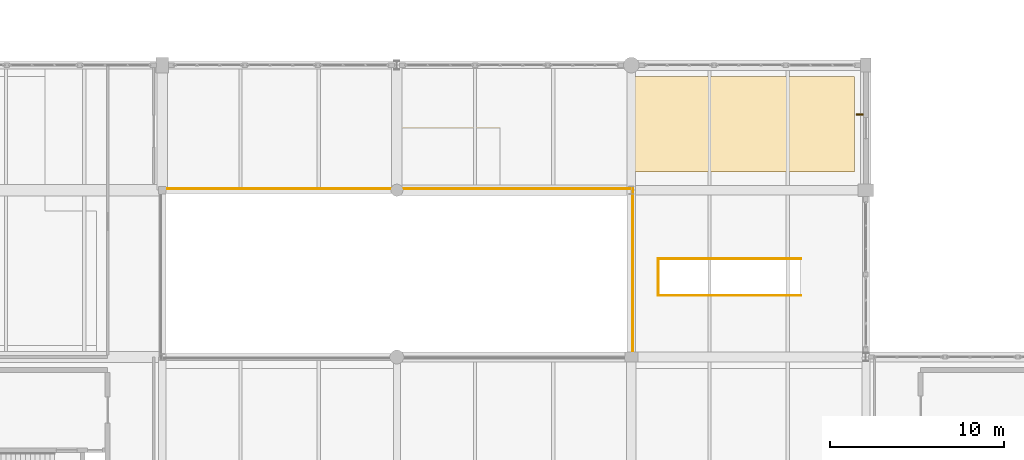
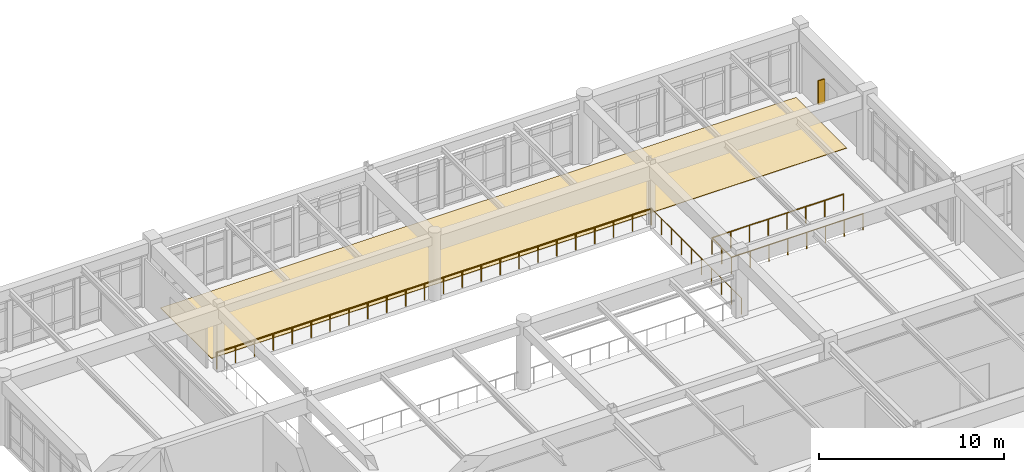
# One storey, part 77 of 80: 5 railings, 1 covering, 1 shading device.
"""IFC4 building model written with IfcOpenShell, lengths in metres."""

import ifcopenshell
import ifcopenshell.guid

model = None  # the IFC model being written
_history = None  # IfcOwnerHistory: only IFC2X3 demands one
_inside = {}  # id of a spatial element -> (the spatial element, [elements in it])
_under = {}  # id of a project, library or spatial element -> (it, [spatial elements below it])
_declared = {}  # id of a project -> (the project, [libraries it declares])
_typed = {}  # id of a type object -> (the type object, [elements of that type])
_made_of = {}  # id of a material, layer set ... -> (it, [elements and type objects made of it])


def new_model(schema):
    """Start an empty IFC model of exactly this schema.

    Asked for "IFC4X3", IfcOpenShell would pick the latest addendum, in which some entities
    have other attributes; the version numbers below select the first issue.
    IFC2X3 requires an IfcOwnerHistory on every rooted entity: one is made here for all.
    """
    global model, _history
    if schema == "IFC4X3":
        model = ifcopenshell.file(schema_version=(4, 3, 0, 0))
    else:
        model = ifcopenshell.file(schema=schema)
    _inside.clear()
    _under.clear()
    _declared.clear()
    _typed.clear()
    _made_of.clear()
    _history = None
    if model.schema == "IFC2X3":
        org = make("IfcOrganization", Name="unknown")
        user = make(
            "IfcPersonAndOrganization",
            ThePerson=make("IfcPerson", FamilyName="unknown"),
            TheOrganization=org,
        )
        app = make(
            "IfcApplication",
            ApplicationDeveloper=org,
            Version="unknown",
            ApplicationFullName="unknown",
            ApplicationIdentifier="unknown",
        )
        _history = make(
            "IfcOwnerHistory",
            OwningUser=user,
            OwningApplication=app,
            ChangeAction="ADDED",
            CreationDate=0,
        )
    return model


def make(cls, **values):
    """One entity of the class cls with the attributes given. An attribute that is None is left unset."""
    return model.create_entity(
        cls, **{name: value for name, value in values.items() if value is not None}
    )


def rooted(cls, **values):
    """An entity with a GlobalId (a new one), such as an element, a storey or a relation."""
    return make(cls, GlobalId=ifcopenshell.guid.new(), OwnerHistory=_history, **values)


def si_unit(unit_type, name, prefix=None):
    """IfcSIUnit, for example si_unit("LENGTHUNIT", "METRE", prefix="MILLI")."""
    return make("IfcSIUnit", UnitType=unit_type, Prefix=prefix, Name=name)


def assignment(units):
    """IfcUnitAssignment: the units of a project."""
    return None if units is None else make("IfcUnitAssignment", Units=units)


def point(xyz):
    """IfcCartesianPoint."""
    return None if xyz is None else make("IfcCartesianPoint", Coordinates=xyz)


def direction(xyz):
    """IfcDirection."""
    return None if xyz is None else make("IfcDirection", DirectionRatios=xyz)


def frame(location, z_axis=None, x_axis=None):
    """IfcAxis2Placement3D, a coordinate frame: its origin and axes. An axis left out is left unset."""
    return make(
        "IfcAxis2Placement3D",
        Location=point(location),
        Axis=direction(z_axis),
        RefDirection=direction(x_axis),
    )


def frame_2d(location, x_axis=None):
    """IfcAxis2Placement2D, a coordinate frame in the plane: its origin and x axis."""
    return make(
        "IfcAxis2Placement2D", Location=point(location), RefDirection=direction(x_axis)
    )


def origin():
    """The frame at (0, 0, 0) with its axes left unset."""
    return frame((0.0, 0.0, 0.0))


def origin_2d():
    """The frame at (0, 0) in the plane with its x axis left unset."""
    return frame_2d((0.0, 0.0))


def place(relative_to, where):
    """IfcLocalPlacement: puts the frame where relative to a parent placement (None: the world)."""
    return make(
        "IfcLocalPlacement", PlacementRelTo=relative_to, RelativePlacement=where
    )


def context(
    kind, dimensions, precision=None, world=None, true_north=None, identifier=None
):
    """IfcGeometricRepresentationContext, for example the 3D "Model" context."""
    return make(
        "IfcGeometricRepresentationContext",
        ContextIdentifier=identifier,
        ContextType=kind,
        CoordinateSpaceDimension=dimensions,
        Precision=precision,
        WorldCoordinateSystem=world,
        TrueNorth=true_north,
    )


def subcontext(parent, identifier, kind, view, scale=None):
    """IfcGeometricRepresentationSubContext, for example "Body" below "Model"."""
    return make(
        "IfcGeometricRepresentationSubContext",
        ContextIdentifier=identifier,
        ContextType=kind,
        ParentContext=parent,
        TargetScale=scale,
        TargetView=view,
    )


def project(units=None, contexts=None):
    """IfcProject with its units and contexts."""
    return rooted(
        "IfcProject",
        Name="project",
        RepresentationContexts=contexts,
        UnitsInContext=assignment(units),
    )


def spatial(cls, under=None, at=None, **own):
    """A site, building, storey or space (cls), placed at a placement, below another one or the project."""
    s = rooted(cls, ObjectPlacement=at, **own)
    if under is not None:
        _under.setdefault(under.id(), (under, []))[1].append(s)
    return s


def polyline(points):
    """IfcPolyline through the points."""
    return make("IfcPolyline", Points=[point(p) for p in points])


def profile(cls, at=None, kind="AREA", **sizes):
    """A parametric profile (cls). Its sizes go by their IFC names, for example OverallWidth=200.0."""
    return make(cls, ProfileType=kind, Position=at, **sizes)


def rectangle(**sizes):
    """IfcRectangleProfileDef."""
    return profile("IfcRectangleProfileDef", **sizes)


def circle(**sizes):
    """IfcCircleProfileDef."""
    return profile("IfcCircleProfileDef", **sizes)


def outline(outer, holes=None, kind="AREA"):
    """IfcArbitraryClosedProfileDef: a profile drawn as a closed curve; with holes, ...WithVoids."""
    if holes is None:
        return make("IfcArbitraryClosedProfileDef", ProfileType=kind, OuterCurve=outer)
    return make(
        "IfcArbitraryProfileDefWithVoids",
        ProfileType=kind,
        OuterCurve=outer,
        InnerCurves=holes,
    )


def extrude(swept, where, along, depth):
    """IfcExtrudedAreaSolid: the profile swept, set in the frame where, extruded along a direction by depth."""
    return make(
        "IfcExtrudedAreaSolid",
        SweptArea=swept,
        Position=where,
        ExtrudedDirection=direction(along),
        Depth=depth,
    )


def shape(context_of_items, identifier, shape_type, items):
    """IfcShapeRepresentation: the items that make up one representation, for example the "Body"."""
    return make(
        "IfcShapeRepresentation",
        ContextOfItems=context_of_items,
        RepresentationIdentifier=identifier,
        RepresentationType=shape_type,
        Items=items,
    )


def material(Name=None, Category=None):
    """IfcMaterial."""
    return make("IfcMaterial", Name=Name, Category=Category)


def layer(
    of_material, thickness, ventilated=None, Name=None, Category=None, Priority=None
):
    """IfcMaterialLayer: one layer of a wall or slab, of a material (None: an air gap)."""
    return make(
        "IfcMaterialLayer",
        Material=of_material,
        LayerThickness=thickness,
        IsVentilated=ventilated,
        Name=Name,
        Category=Category,
        Priority=Priority,
    )


def layer_set(layers, Name=None):
    """IfcMaterialLayerSet."""
    return make("IfcMaterialLayerSet", MaterialLayers=layers, LayerSetName=Name)


def made_of(thing, what):
    """Note that an element or type object is made of a material, layer set ...; save() writes the relation."""
    if what is not None:
        _made_of.setdefault(what.id(), (what, []))[1].append(thing)
    return thing


def type_object(cls, material=None, **own):
    """A type object (cls), such as IfcWallType, which elements share."""
    return made_of(rooted(cls, **own), material)


def element(
    cls,
    number,
    at=None,
    inside=None,
    cuts=None,
    type_object=None,
    material=None,
    context=None,
    identifier="Body",
    shape_type=None,
    held_by="IfcProductDefinitionShape",
    body=None,
    shapes=None,
    **own,
):
    """One element of the class cls, such as IfcWall. Its Tag is "e" and its number.

    at: its placement. inside: the storey or other place that contains it. cuts: it is an
    opening in that element (IfcRelVoidsElement). A single representation is given by context,
    identifier, shape_type and body (its items); several are given by shapes. held_by: the class
    of the entity that holds the representations. save() writes the other relations.
    """
    e = rooted(cls, Tag="e%d" % number, ObjectPlacement=at, **own)
    if body is not None:
        shapes = [shape(context, identifier, shape_type, body)]
    if shapes is not None:
        e.Representation = make(held_by, Representations=shapes)
    if inside is not None:
        _inside.setdefault(inside.id(), (inside, []))[1].append(e)
    if cuts is not None:
        rooted(
            "IfcRelVoidsElement", RelatingBuildingElement=cuts, RelatedOpeningElement=e
        )
    if type_object is not None:
        _typed.setdefault(type_object.id(), (type_object, []))[1].append(e)
    return made_of(e, material)


def aggregate(whole, parts):
    """IfcRelAggregates: a whole, such as a stair, and the parts it consists of."""
    return rooted("IfcRelAggregates", RelatingObject=whole, RelatedObjects=parts)


def save(model, path):
    """Write the relations noted so far, then the file.

    IfcRelAggregates (storeys below a building ...), IfcRelContainedInSpatialStructure (elements
    in a storey), IfcRelDefinesByType, IfcRelAssociatesMaterial and IfcRelDeclares: one each for
    every whole, place, type object, material and project.
    """
    for whole, parts in _under.values():
        aggregate(whole, parts)
    for where, things in _inside.values():
        rooted(
            "IfcRelContainedInSpatialStructure",
            RelatedElements=things,
            RelatingStructure=where,
        )
    for kind, things in _typed.values():
        rooted("IfcRelDefinesByType", RelatedObjects=things, RelatingType=kind)
    for what, things in _made_of.values():
        rooted("IfcRelAssociatesMaterial", RelatedObjects=things, RelatingMaterial=what)
    for by, libraries in _declared.values():
        rooted("IfcRelDeclares", RelatingContext=by, RelatedDefinitions=libraries)
    model.write(path)


model = new_model("IFC4")

# Units and contexts
model_context = context("Model", 3, precision=1e-05, world=origin(), true_north=direction((0.0, 1.0)))
body_context = subcontext(model_context, "Body", "Model", "MODEL_VIEW")
ifc_project = project(units=[si_unit("LENGTHUNIT", "METRE"), si_unit("AREAUNIT", "SQUARE_METRE"), si_unit("VOLUMEUNIT", "CUBIC_METRE"), si_unit("PLANEANGLEUNIT", "RADIAN"), si_unit("MASSUNIT", "GRAM", prefix="KILO")], contexts=[model_context])

# Site, building, storey
site_placement = place(None, origin())
site = spatial("IfcSite", under=ifc_project, at=site_placement, CompositionType="ELEMENT")
building_placement = place(site_placement, origin())
building = spatial("IfcBuilding", under=site, at=building_placement, Name="Fikremerkos Civic Library", CompositionType="ELEMENT")
storey_placement = place(building_placement, frame((0.0, 0.0, 9.89990234375)))
storey = spatial("IfcBuildingStorey", under=building, at=storey_placement, Name="L02", CompositionType="ELEMENT", Elevation=9.89990234375)

# Railings
ifc_material_1 = material(Name="Painted Steel S275", Category="steel")
railing_type = type_object("IfcRailingType", Name="Interior balustrade guard RLG-INT 1100", PredefinedType="BALUSTRADE", material=ifc_material_1)
railing_1_placement = place(storey_placement, frame((88.239990234375, 34.739990234375, 0.0)))
element("IfcRailing", 1, at=railing_1_placement, inside=storey, type_object=railing_type, Name="ST30 upper void guard W", PredefinedType="BALUSTRADE", context=body_context, shape_type="SweptSolid", body=[
    extrude(circle(Radius=0.02392578125, at=origin_2d()), frame((0.0, 0.0, 1.076171875), z_axis=(0.0, 1.0, 0.0), x_axis=(-1.0, 0.0, 0.0)), (0.0, 0.0, 1.0), 2.1201171875),
    extrude(circle(Radius=0.02099609375, at=origin_2d()), origin(), (0.0, 0.0, 1.0), 1.052001953125),
    extrude(circle(Radius=0.02099609375, at=origin_2d()), frame((0.0, 1.06005859375, 0.0)), (0.0, 0.0, 1.0), 1.052001953125),
    extrude(circle(Radius=0.02099609375, at=origin_2d()), frame((0.0, 2.1201171875, 0.0)), (0.0, 0.0, 1.0), 1.052001953125),
])
for number, where, name in (
    (2, (88.239990234375, 34.739990234375, 0.0), "ST30 upper void guard S"),
    (3, (88.239990234375, 36.860107421875, 0.0), "ST30 upper void guard N"),
):
    element("IfcRailing", number, at=place(storey_placement, frame(where)), inside=storey, type_object=railing_type, Name=name, PredefinedType="BALUSTRADE", context=body_context, shape_type="SweptSolid", body=[
        extrude(circle(Radius=0.02392578125, at=origin_2d()), frame((0.0, 0.0, 1.076171875), z_axis=(1.0, 0.0, 0.0), x_axis=(0.0, 1.0, 0.0)), (0.0, 0.0, 1.0), 8.219970703125),
        extrude(circle(Radius=0.02099609375, at=origin_2d()), origin(), (0.0, 0.0, 1.0), 1.052001953125),
        extrude(circle(Radius=0.02099609375, at=origin_2d()), frame((1.17431640625, 0.0, 0.0)), (0.0, 0.0, 1.0), 1.052001953125),
        extrude(circle(Radius=0.02099609375, at=origin_2d()), frame((2.3486328125, 0.0, 0.0)), (0.0, 0.0, 1.0), 1.052001953125),
        extrude(circle(Radius=0.02099609375, at=origin_2d()), frame((3.52294921875, 0.0, 0.0)), (0.0, 0.0, 1.0), 1.052001953125),
        extrude(circle(Radius=0.02099609375, at=origin_2d()), frame((4.697021484375, 0.0, 0.0)), (0.0, 0.0, 1.0), 1.052001953125),
        extrude(circle(Radius=0.02099609375, at=origin_2d()), frame((5.871337890625, 0.0, 0.0)), (0.0, 0.0, 1.0), 1.052001953125),
        extrude(circle(Radius=0.02099609375, at=origin_2d()), frame((7.045654296875, 0.0, 0.0)), (0.0, 0.0, 1.0), 1.052001953125),
        extrude(circle(Radius=0.02099609375, at=origin_2d()), frame((8.219970703125, 0.0, 0.0)), (0.0, 0.0, 1.0), 1.052001953125),
    ])
railing_2_placement = place(storey_placement, frame((59.6201171875, 40.8798828125, 0.0)))
element("IfcRailing", 4, at=railing_2_placement, inside=storey, type_object=railing_type, Name="Atrium void balustrade guard L02 N", PredefinedType="BALUSTRADE", context=body_context, shape_type="SweptSolid", body=[
    extrude(circle(Radius=0.02392578125, at=origin_2d()), frame((0.0, 0.0, 1.076171875), z_axis=(1.0, 0.0, 0.0), x_axis=(0.0, 1.0, 0.0)), (0.0, 0.0, 1.0), 27.159912109375),
    extrude(circle(Radius=0.02099609375, at=origin_2d()), origin(), (0.0, 0.0, 1.0), 1.052001953125),
    extrude(circle(Radius=0.02099609375, at=origin_2d()), frame((1.180908203125, 0.0, 0.0)), (0.0, 0.0, 1.0), 1.052001953125),
    extrude(circle(Radius=0.02099609375, at=origin_2d()), frame((2.36181640625, 0.0, 0.0)), (0.0, 0.0, 1.0), 1.052001953125),
    extrude(circle(Radius=0.02099609375, at=origin_2d()), frame((3.54248046875, 0.0, 0.0)), (0.0, 0.0, 1.0), 1.052001953125),
    extrude(circle(Radius=0.02099609375, at=origin_2d()), frame((4.723388671875, 0.0, 0.0)), (0.0, 0.0, 1.0), 1.052001953125),
    extrude(circle(Radius=0.02099609375, at=origin_2d()), frame((5.904296875, 0.0, 0.0)), (0.0, 0.0, 1.0), 1.052001953125),
    extrude(circle(Radius=0.02099609375, at=origin_2d()), frame((7.085205078125, 0.0, 0.0)), (0.0, 0.0, 1.0), 1.052001953125),
    extrude(circle(Radius=0.02099609375, at=origin_2d()), frame((8.26611328125, 0.0, 0.0)), (0.0, 0.0, 1.0), 1.052001953125),
    extrude(circle(Radius=0.02099609375, at=origin_2d()), frame((9.447021484375, 0.0, 0.0)), (0.0, 0.0, 1.0), 1.052001953125),
    extrude(circle(Radius=0.02099609375, at=origin_2d()), frame((10.627685546875, 0.0, 0.0)), (0.0, 0.0, 1.0), 1.052001953125),
    extrude(circle(Radius=0.02099609375, at=origin_2d()), frame((11.80859375, 0.0, 0.0)), (0.0, 0.0, 1.0), 1.052001953125),
    extrude(circle(Radius=0.02099609375, at=origin_2d()), frame((12.989501953125, 0.0, 0.0)), (0.0, 0.0, 1.0), 1.052001953125),
    extrude(circle(Radius=0.02099609375, at=origin_2d()), frame((14.17041015625, 0.0, 0.0)), (0.0, 0.0, 1.0), 1.052001953125),
    extrude(circle(Radius=0.02099609375, at=origin_2d()), frame((15.351318359375, 0.0, 0.0)), (0.0, 0.0, 1.0), 1.052001953125),
    extrude(circle(Radius=0.02099609375, at=origin_2d()), frame((16.5322265625, 0.0, 0.0)), (0.0, 0.0, 1.0), 1.052001953125),
    extrude(circle(Radius=0.02099609375, at=origin_2d()), frame((17.712890625, 0.0, 0.0)), (0.0, 0.0, 1.0), 1.052001953125),
    extrude(circle(Radius=0.02099609375, at=origin_2d()), frame((18.893798828125, 0.0, 0.0)), (0.0, 0.0, 1.0), 1.052001953125),
    extrude(circle(Radius=0.02099609375, at=origin_2d()), frame((20.07470703125, 0.0, 0.0)), (0.0, 0.0, 1.0), 1.052001953125),
    extrude(circle(Radius=0.02099609375, at=origin_2d()), frame((21.255615234375, 0.0, 0.0)), (0.0, 0.0, 1.0), 1.052001953125),
    extrude(circle(Radius=0.02099609375, at=origin_2d()), frame((22.4365234375, 0.0, 0.0)), (0.0, 0.0, 1.0), 1.052001953125),
    extrude(circle(Radius=0.02099609375, at=origin_2d()), frame((23.617431640625, 0.0, 0.0)), (0.0, 0.0, 1.0), 1.052001953125),
    extrude(circle(Radius=0.02099609375, at=origin_2d()), frame((24.798095703125, 0.0, 0.0)), (0.0, 0.0, 1.0), 1.052001953125),
    extrude(circle(Radius=0.02099609375, at=origin_2d()), frame((25.97900390625, 0.0, 0.0)), (0.0, 0.0, 1.0), 1.052001953125),
    extrude(circle(Radius=0.02099609375, at=origin_2d()), frame((27.159912109375, 0.0, 0.0)), (0.0, 0.0, 1.0), 1.052001953125),
])
railing_3_placement = place(storey_placement, frame((86.780029296875, 31.1201171875, 0.0)))
element("IfcRailing", 5, at=railing_3_placement, inside=storey, type_object=railing_type, Name="Atrium void balustrade guard L02 E", PredefinedType="BALUSTRADE", context=body_context, shape_type="SweptSolid", body=[
    extrude(circle(Radius=0.02392578125, at=origin_2d()), frame((0.0, 0.0, 1.076171875), z_axis=(0.0, 1.0, 0.0), x_axis=(-1.0, 0.0, 0.0)), (0.0, 0.0, 1.0), 9.759765625),
    extrude(circle(Radius=0.02099609375, at=origin_2d()), origin(), (0.0, 0.0, 1.0), 1.052001953125),
    extrude(circle(Radius=0.02099609375, at=origin_2d()), frame((0.0, 1.08447265625, 0.0)), (0.0, 0.0, 1.0), 1.052001953125),
    extrude(circle(Radius=0.02099609375, at=origin_2d()), frame((0.0, 2.1689453125, 0.0)), (0.0, 0.0, 1.0), 1.052001953125),
    extrude(circle(Radius=0.02099609375, at=origin_2d()), frame((0.0, 3.253173828125, 0.0)), (0.0, 0.0, 1.0), 1.052001953125),
    extrude(circle(Radius=0.02099609375, at=origin_2d()), frame((0.0, 4.337646484375, 0.0)), (0.0, 0.0, 1.0), 1.052001953125),
    extrude(circle(Radius=0.02099609375, at=origin_2d()), frame((0.0, 5.422119140625, 0.0)), (0.0, 0.0, 1.0), 1.052001953125),
    extrude(circle(Radius=0.02099609375, at=origin_2d()), frame((0.0, 6.506591796875, 0.0)), (0.0, 0.0, 1.0), 1.052001953125),
    extrude(circle(Radius=0.02099609375, at=origin_2d()), frame((0.0, 7.5908203125, 0.0)), (0.0, 0.0, 1.0), 1.052001953125),
    extrude(circle(Radius=0.02099609375, at=origin_2d()), frame((0.0, 8.67529296875, 0.0)), (0.0, 0.0, 1.0), 1.052001953125),
    extrude(circle(Radius=0.02099609375, at=origin_2d()), frame((0.0, 9.759765625, 0.0)), (0.0, 0.0, 1.0), 1.052001953125),
])

# Shading device
ifc_material_2 = material(Name="Bronze anodized aluminium", Category="aluminium")
shading_device_type = type_object("IfcShadingDeviceType", Name="Perforated bronze vertical solar fin SHD-02", PredefinedType="USERDEFINED", material=ifc_material_2)
shading_device_placement = place(storey_placement, frame((99.860107421875, 45.155029296875, 0.824951171875), z_axis=(0.0, 0.0, 1.0), x_axis=(0.0, 1.0, 0.0)))
element("IfcShadingDevice", 6, at=shading_device_placement, inside=storey, type_object=shading_device_type, Name="Vertical bronze solar fin SHD-02 L02 #41", ObjectType="SOLAR FIN", PredefinedType="USERDEFINED", context=body_context, shape_type="SweptSolid", body=[
    extrude(rectangle(XDim=0.080078125, YDim=0.39990234375, at=origin_2d()), origin(), (0.0, 0.0, 1.0), 1.60009765625),
])

# Covering
ifc_material_3 = material(Name="Polished basalt terrazzo", Category="masonry")
ifc_layer = layer(ifc_material_3, 0.030029296875, Name="Polished basalt terrazzo")
ifc_layer_set = layer_set([ifc_layer], Name="Polished basalt terrazzo")
covering_type = type_object("IfcCoveringType", Name="Polished basalt terrazzo flooring FLR-01", PredefinedType="FLOORING", material=ifc_layer_set)
covering_placement = place(storey_placement, origin())
element("IfcCovering", 7, at=covering_placement, inside=storey, type_object=covering_type, Name="Terrazzo floor finish Stepped Atrium Reading Gallery L02", PredefinedType="FLOORING", context=body_context, shape_type="SweptSolid", body=[
    extrude(outline(polyline([(59.85009765625, 47.35009765625), (99.550048828125, 47.35009765625), (99.550048828125, 41.85009765625), (59.85009765625, 41.85009765625), (59.85009765625, 47.35009765625)])), origin(), (0.0, 0.0, 1.0), 0.030029296875),
])

save(model, "model.ifc")
